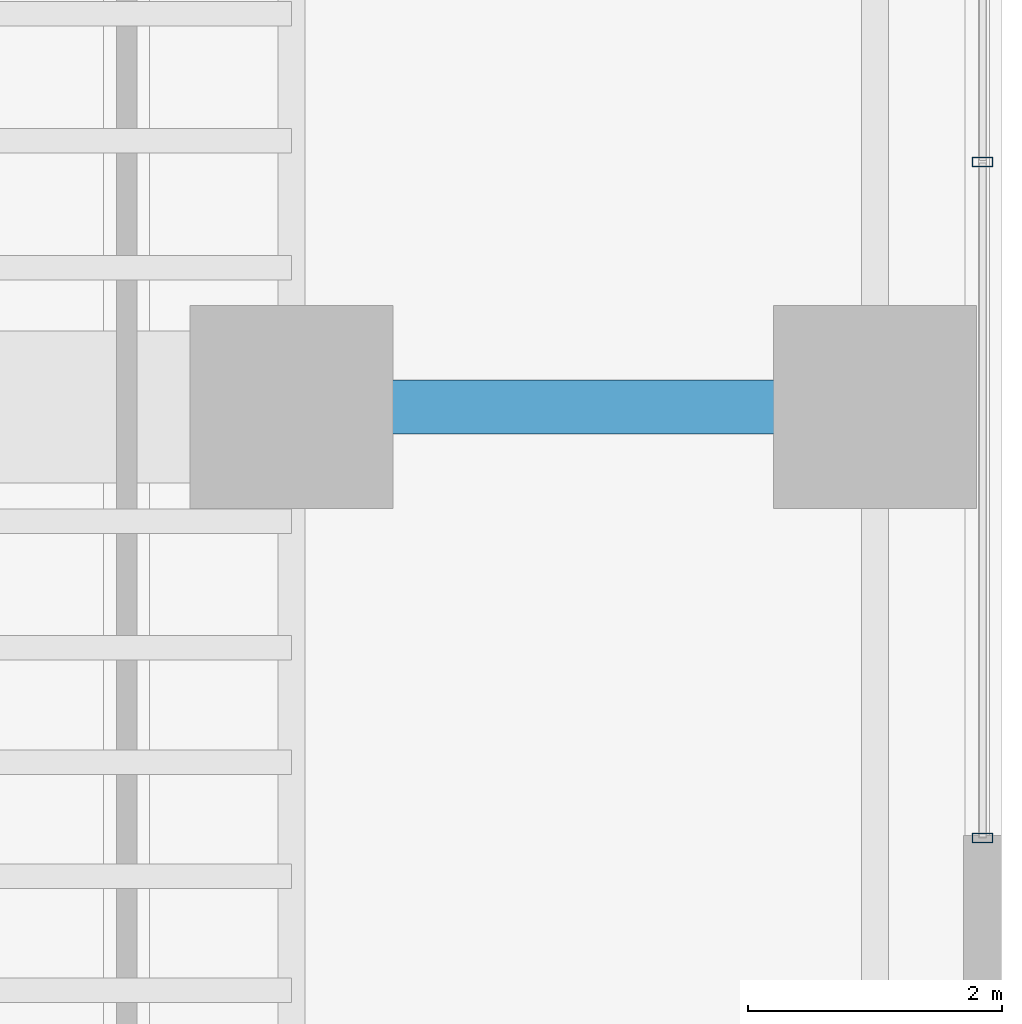
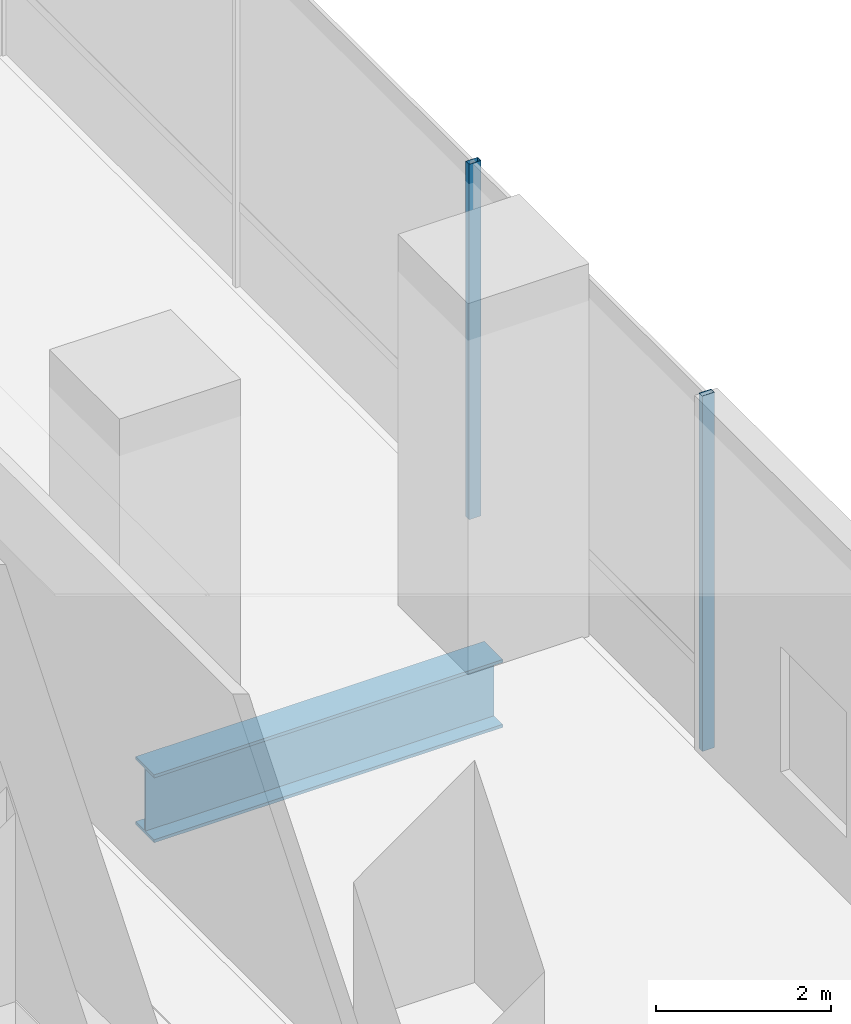
# One storey, part 20 of 41: 2 members, 1 beam, 1 element without a shape of its own.
"""IFC4 building model written with IfcOpenShell, lengths in metres."""

from ifc_helpers import new_model, si_unit, direction, frame, origin, origin_2d, place, context, subcontext, project, spatial, hollow_rectangle, i_section, extrude, source, transform, mapped, material, material_profile, profile_set, type_object, element, aggregate, save


model = new_model("IFC4")

# Units and contexts
model_context = context("Model", 3, precision=1e-05, world=origin(), true_north=direction((0.0, 1.0)))
body_context = subcontext(model_context, "Body", "Model", "MODEL_VIEW")
ifc_project = project(units=[si_unit("LENGTHUNIT", "METRE"), si_unit("AREAUNIT", "SQUARE_METRE"), si_unit("VOLUMEUNIT", "CUBIC_METRE"), si_unit("PLANEANGLEUNIT", "RADIAN"), si_unit("MASSUNIT", "GRAM", prefix="KILO")], contexts=[model_context])

# Site, building, storey
site_placement = place(None, origin())
site = spatial("IfcSite", under=ifc_project, at=site_placement, CompositionType="ELEMENT")
building_placement = place(site_placement, origin())
building = spatial("IfcBuilding", under=site, at=building_placement, Name="Valdorenza Pilgrim Sanctuary Tower", CompositionType="ELEMENT")
storey_placement = place(building_placement, frame((0.0, 0.0, 20.800048828125)))
storey = spatial("IfcBuildingStorey", under=building, at=storey_placement, Name="L04", CompositionType="ELEMENT", Elevation=20.800048828125)

# Beam
ifc_material_1 = material(Name="Steel ASTM A992 Grade 50", Category="steel")
ifc_material_profile_1 = material_profile(ifc_material_1, i_section(OverallWidth=0.423095703125, OverallDepth=0.947998046875, WebThickness=0.02392578125, FlangeThickness=0.042724609375, at=origin_2d()), Name="W36X302")
ifc_profile_set_1 = profile_set([ifc_material_profile_1], Name="Steel ASTM A992 Grade 50")
beam_type = type_object("IfcBeamType", Name="STR-BM-GRD-W36A", PredefinedType="BEAM", material=ifc_profile_set_1)
shared_shape_1 = source(origin(), body_context, "Body", "SweptSolid", [
    extrude(i_section(OverallWidth=0.423095703125, OverallDepth=0.947998046875, WebThickness=0.02392578125, FlangeThickness=0.042724609375, at=origin_2d()), origin(), (0.0, 0.0, 1.0), 4.60009765625),
])
beam_placement = place(storey_placement, frame((28.39990234375, -2.60009765625, -0.8740234375), z_axis=(1.0, 0.0, 0.0), x_axis=(0.0, 1.0, 0.0)))
element("IfcBeam", 1, at=beam_placement, inside=storey, type_object=beam_type, Name="L04 Floor Girder POD-E-M0", PredefinedType="BEAM", context=body_context, shape_type="MappedRepresentation", body=[
    mapped(shared_shape_1, transform((0.0, 0.0, 0.0), x_axis=(1.0, 0.0, 0.0), y_axis=(0.0, 1.0, 0.0), z_axis=(0.0, 0.0, 1.0), scale=1.0)),
])

# Curtain wall, members
ifc_material_2 = material(Name="Curtain-wall IGU glazing", Category="glass")
curtain_wall_type = type_object("IfcCurtainWallType", Name="CW-SYS-01", PredefinedType="NOTDEFINED", material=ifc_material_2)
curtain_wall_placement = place(storey_placement, origin())
curtain_wall = element("IfcCurtainWall", 2, at=curtain_wall_placement, inside=storey, type_object=curtain_wall_type, Name="L04 Curtain Wall CW-POD-L04-EE", PredefinedType="NOTDEFINED")
ifc_material_3 = material(Name="Anodised aluminium AW-6060", Category="aluminium")
ifc_material_profile_2 = material_profile(ifc_material_3, hollow_rectangle(XDim=0.074951171875, YDim=0.159912109375, WallThickness=0.00390625, at=origin_2d()), Name="ALU-M 160x75x4")
ifc_profile_set_2 = profile_set([ifc_material_profile_2], Name="Anodised aluminium AW-6060")
member_type = type_object("IfcMemberType", Name="CW-MUL-01", PredefinedType="MULLION", material=ifc_profile_set_2)
shared_shape_2 = source(origin(), body_context, "Body", "SweptSolid", [
    extrude(hollow_rectangle(XDim=0.074951171875, YDim=0.159912109375, WallThickness=0.00390625, at=origin_2d()), origin(), (0.0, 0.0, 1.0), 4.9599609375),
])
member_1_placement = place(storey_placement, frame((33.85009765625, -6.0, 0.0), z_axis=(0.0, 0.0, 1.0), x_axis=(0.0, 1.0, 0.0)))
member_1 = element("IfcMember", 3, at=member_1_placement, type_object=member_type, Name="CW-POD-L04-EE Mullion 1", PredefinedType="MULLION", context=body_context, shape_type="MappedRepresentation", body=[
    mapped(shared_shape_2, transform((0.0, 0.0, 0.0), x_axis=(1.0, 0.0, 0.0), y_axis=(0.0, 1.0, 0.0), z_axis=(0.0, 0.0, 1.0), scale=1.0)),
])
member_2_placement = place(storey_placement, frame((33.85009765625, -0.666748046875, 0.0), z_axis=(0.0, 0.0, 1.0), x_axis=(0.0, 1.0, 0.0)))
member_2 = element("IfcMember", 4, at=member_2_placement, type_object=member_type, Name="CW-POD-L04-EE Mullion 2", PredefinedType="MULLION", context=body_context, shape_type="MappedRepresentation", body=[
    mapped(shared_shape_2, transform((0.0, 0.0, 0.0), x_axis=(1.0, 0.0, 0.0), y_axis=(0.0, 1.0, 0.0), z_axis=(0.0, 0.0, 1.0), scale=1.0)),
])
aggregate(curtain_wall, [member_1, member_2])

save(model, "model.ifc")
